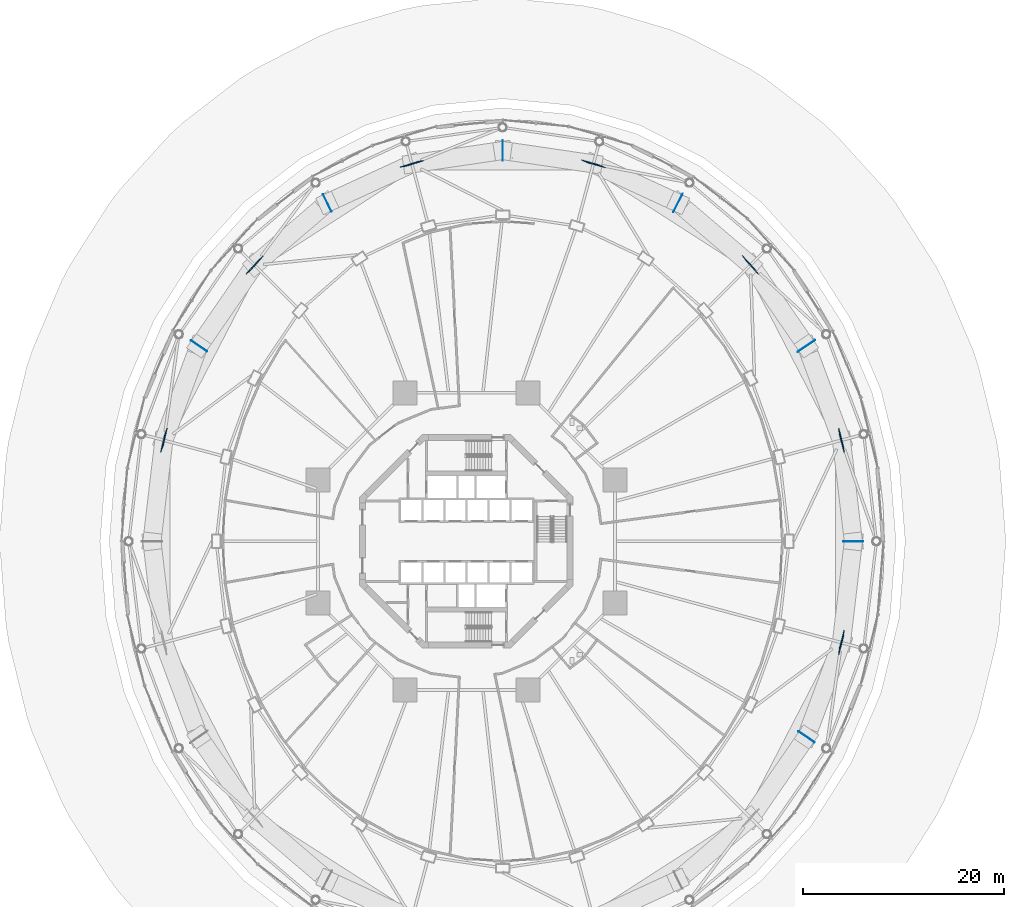
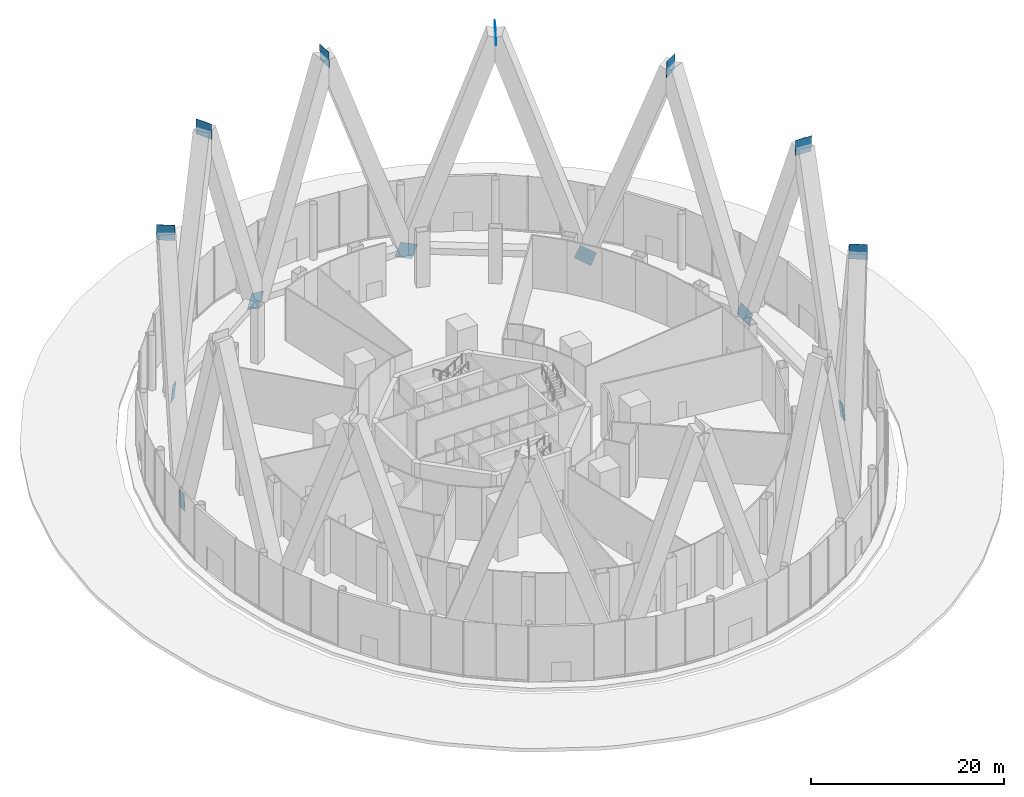
# One storey, part 63 of 67: 14 discrete accessories.
"""IFC4 building model written with IfcOpenShell, lengths in metres."""

from ifc_helpers import new_model, si_unit, direction, frame, origin, origin_2d, place, context, subcontext, project, spatial, rectangle, extrude, material, layer, layer_set, type_object, element, save


model = new_model("IFC4")

# Units and contexts
model_context = context("Model", 3, precision=1e-05, world=origin(), true_north=direction((0.0, 1.0)))
body_context = subcontext(model_context, "Body", "Model", "MODEL_VIEW")
ifc_project = project(units=[si_unit("LENGTHUNIT", "METRE"), si_unit("AREAUNIT", "SQUARE_METRE"), si_unit("VOLUMEUNIT", "CUBIC_METRE"), si_unit("PLANEANGLEUNIT", "RADIAN"), si_unit("MASSUNIT", "GRAM", prefix="KILO")], contexts=[model_context])

# Site, building, storey
site_placement = place(None, origin())
site = spatial("IfcSite", under=ifc_project, at=site_placement, CompositionType="ELEMENT")
building_placement = place(site_placement, origin())
building = spatial("IfcBuilding", under=site, at=building_placement, Name="Nagisa Residences", CompositionType="ELEMENT")
storey_placement = place(building_placement, origin())
storey = spatial("IfcBuildingStorey", under=building, at=storey_placement, Name="L00", CompositionType="ELEMENT", Elevation=0.0)

# Discrete accessories
ifc_material = material(Name="Steel ASTM A572 Gr 50", Category="steel")
ifc_layer = layer(ifc_material, 0.030029296875)
ifc_layer_set = layer_set([ifc_layer], Name="Node plate")
discrete_accessory_type = type_object("IfcDiscreteAccessoryType", Name="Node plate", PredefinedType="ANCHORPLATE", material=ifc_layer_set)
discrete_accessory_1_placement = place(storey_placement, frame((37.325439453125, 10.071533203125, 0.000732421875), z_axis=(-0.97087251538, -0.23462752455, -0.048543625769), x_axis=(0.037778670454, -0.349979707984, 0.935995179506)))
element("IfcDiscreteAccessory", 1, at=discrete_accessory_1_placement, inside=storey, type_object=discrete_accessory_type, Name="Node plate CD1001", PredefinedType="ANCHORPLATE", context=body_context, shape_type="SweptSolid", body=[
    extrude(rectangle(XDim=1.919921875, YDim=1.919921875, at=origin_2d()), origin(), (0.0, 0.0, 1.0), 0.0302734375),
])
discrete_accessory_2_placement = place(storey_placement, frame((38.5, -0.014892578125, 27.0), z_axis=(0.0, 1.0, 0.0), x_axis=(-0.044001366623, 0.0, -0.999031470843)))
element("IfcDiscreteAccessory", 2, at=discrete_accessory_2_placement, inside=storey, type_object=discrete_accessory_type, Name="Node plate CD1001", PredefinedType="ANCHORPLATE", context=body_context, shape_type="SweptSolid", body=[
    extrude(rectangle(XDim=1.919921875, YDim=1.919921875, at=origin_2d()), origin(), (0.0, 0.0, 1.0), 0.02978515625),
])
for number, where, z_axis, x_axis, name in (
    (3, (33.81591796875, 19.46240234375, 26.999755859375), (0.560235487249, -0.828174198542, 0.016238709775), (-0.064141400847, -0.062918308499, -0.995955404199), "Node plate CD1002"),
    (4, (28.2890625, 27.516357421875, 0.000732421875), (-0.741998516004, -0.668614047389, -0.048922979077), (0.191918961636, -0.281770440404, 0.940091767371), "Node plate CD1003"),
    (5, (21.0634765625, 33.681640625, 27.0), (-0.894427191, 0.4472135955, 0.0), (-0.038188129908, -0.076376259815, -0.996347496444), "Node plate CD1004"),
    (6, (12.636962890625, 37.5888671875, 0.000732421875), (-0.284027666802, -0.957578990931, -0.048690457166), (0.295093339611, -0.135618936316, 0.94579459981), "Node plate CD1005"),
    (7, (3.614990234375, 38.89990234375, 27.0), (-1.0, 0.0, 0.0), (0.0, -0.049033000329, -0.998797159026), "Node plate CD1006"),
    (8, (-5.43701171875, 37.5888671875, 0.000732421875), (0.284027666802, -0.957578990931, -0.048690457166), (0.317021093091, 0.045863430458, 0.947308910695), "Node plate CD1007"),
    (9, (-13.836669921875, 33.695068359375, 27.0), (-0.894427191, -0.4472135955, 0.0), (0.004406741736, -0.008813483472, -0.99995145039), "Node plate CD1008"),
    (10, (-21.089111328125, 27.516357421875, 0.000732421875), (0.741998516004, -0.668614047389, -0.048922979077), (0.254795425172, 0.213755387051, 0.943073658745), "Node plate CD1009"),
):
    element("IfcDiscreteAccessory", number, at=place(storey_placement, frame(where, z_axis=z_axis, x_axis=x_axis)), inside=storey, type_object=discrete_accessory_type, Name=name, PredefinedType="ANCHORPLATE", context=body_context, shape_type="SweptSolid", body=[
        extrude(rectangle(XDim=1.919921875, YDim=1.919921875, at=origin_2d()), origin(), (0.0, 0.0, 1.0), 0.030029296875),
    ])
for number, where, z_axis, x_axis, name in (
    (11, (-26.6328125, 19.4375, 27.000244140625), (0.565768564398, 0.824405622408, -0.016164816126), (-0.007763038866, -0.014277677893, -0.99986793285), "Node plate CD1010"),
    (12, (-30.12548828125, 10.071533203125, 0.000732421875), (0.97087251538, -0.23462752455, -0.048543625769), (0.125349677194, 0.324730372707, 0.937463409136), "Node plate CD1011"),
):
    element("IfcDiscreteAccessory", number, at=place(storey_placement, frame(where, z_axis=z_axis, x_axis=x_axis)), inside=storey, type_object=discrete_accessory_type, Name=name, PredefinedType="ANCHORPLATE", context=body_context, shape_type="SweptSolid", body=[
        extrude(rectangle(XDim=1.919921875, YDim=1.919921875, at=origin_2d()), origin(), (0.0, 0.0, 1.0), 0.0302734375),
    ])
discrete_accessory_3_placement = place(storey_placement, frame((33.832763671875, -19.4375, 27.000244140625), z_axis=(-0.560235487249, -0.828174198542, -0.016238709775), x_axis=(0.007708673352, 0.014390539311, -0.999866735487)))
element("IfcDiscreteAccessory", 13, at=discrete_accessory_3_placement, inside=storey, type_object=discrete_accessory_type, Name="Node plate CD1022", PredefinedType="ANCHORPLATE", context=body_context, shape_type="SweptSolid", body=[
    extrude(rectangle(XDim=1.919921875, YDim=1.919921875, at=origin_2d()), origin(), (0.0, 0.0, 1.0), 0.030029296875),
])
discrete_accessory_4_placement = place(storey_placement, frame((37.325439453125, -10.071533203125, 0.000732421875), z_axis=(-0.97087251538, 0.23462752455, -0.048543625769), x_axis=(0.037778670454, 0.349979707984, 0.935995179506)))
element("IfcDiscreteAccessory", 14, at=discrete_accessory_4_placement, inside=storey, type_object=discrete_accessory_type, Name="Node plate CD1023", PredefinedType="ANCHORPLATE", context=body_context, shape_type="SweptSolid", body=[
    extrude(rectangle(XDim=1.919921875, YDim=1.919921875, at=origin_2d()), origin(), (0.0, 0.0, 1.0), 0.0302734375),
])

save(model, "model.ifc")
